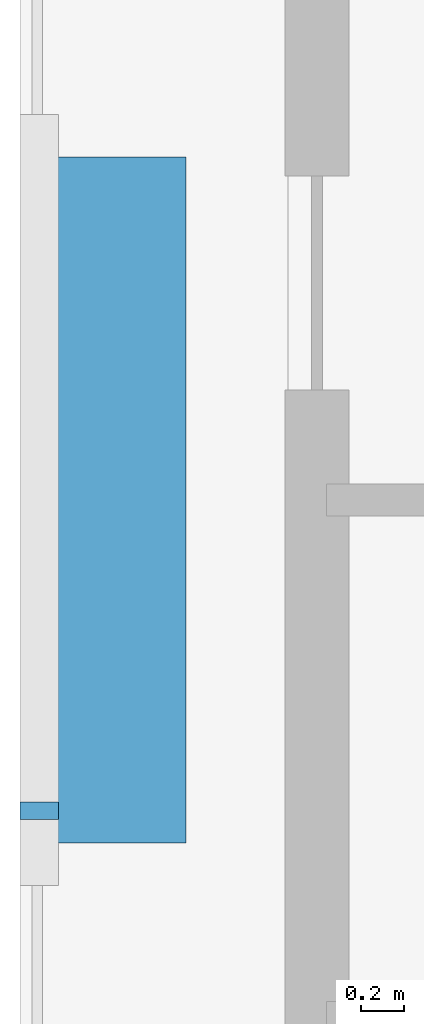
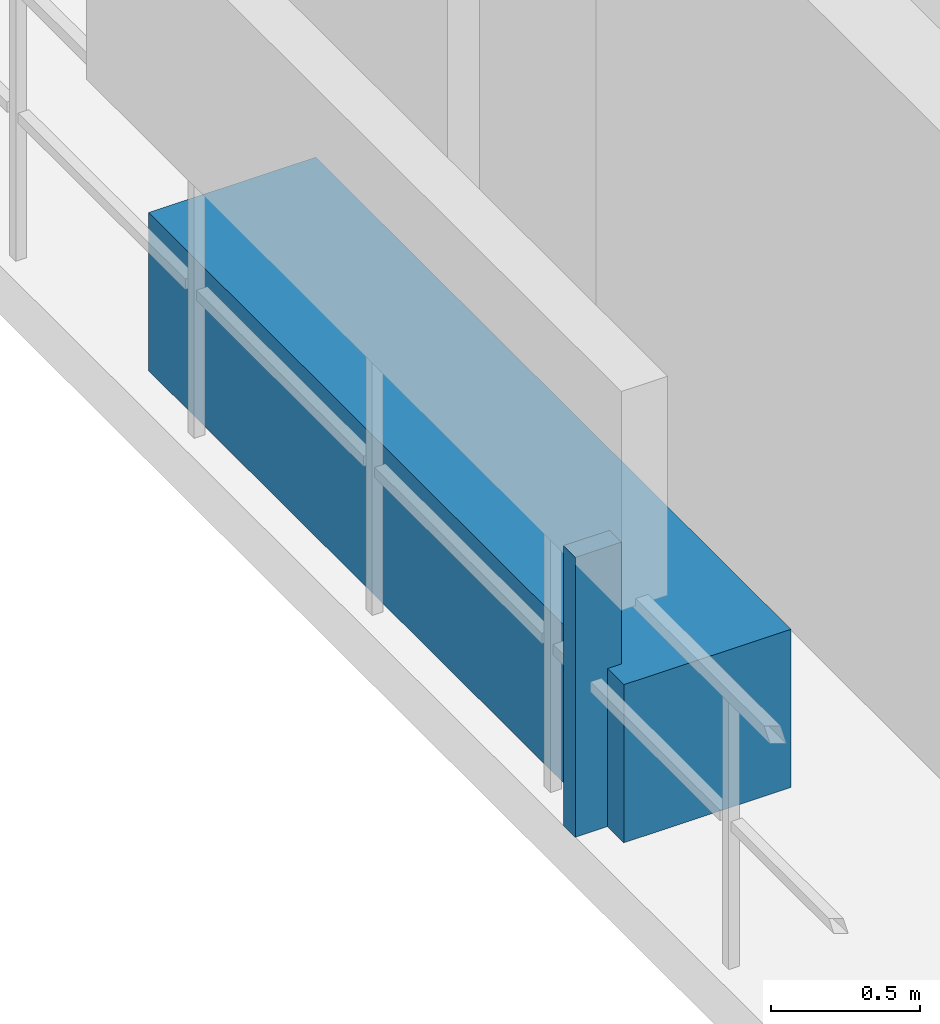
# One storey, part 28 of 33: 2 discrete accessories.
"""IFC4 building model written with IfcOpenShell, lengths in metres."""

from ifc_helpers import new_model, si_unit, direction, frame, origin, origin_2d, place, context, subcontext, project, spatial, rectangle, extrude, material, type_object, element, save


model = new_model("IFC4")

# Units and contexts
model_context = context("Model", 3, precision=1e-05, world=origin(), true_north=direction((0.0, 1.0)))
body_context = subcontext(model_context, "Body", "Model", "MODEL_VIEW")
ifc_project = project(units=[si_unit("LENGTHUNIT", "METRE"), si_unit("AREAUNIT", "SQUARE_METRE"), si_unit("VOLUMEUNIT", "CUBIC_METRE"), si_unit("PLANEANGLEUNIT", "RADIAN"), si_unit("MASSUNIT", "GRAM", prefix="KILO")], contexts=[model_context])

# Site, building, storey
site_placement = place(None, origin())
site = spatial("IfcSite", under=ifc_project, at=site_placement, CompositionType="ELEMENT")
building_placement = place(site_placement, origin())
building = spatial("IfcBuilding", under=site, at=building_placement, Name="Thornwick Lancets Civic Towers", CompositionType="ELEMENT")
storey_placement = place(building_placement, frame((0.0, 0.0, 218.10009765625)))
storey = spatial("IfcBuildingStorey", under=building, at=storey_placement, Name="L58", CompositionType="ELEMENT", Elevation=218.10009765625)

# Discrete accessories
ifc_material_1 = material(Name="Planted terracotta greenery planter", Category="masonry")
discrete_accessory_type_1 = type_object("IfcDiscreteAccessoryType", Name="ACC_PLANTER_BOX", PredefinedType="USERDEFINED", material=ifc_material_1)
discrete_accessory_1_placement = place(storey_placement, frame((0.800048828125, 27.0, 0.0), z_axis=(0.0, 0.0, 1.0), x_axis=(1.0, 0.0, 0.0)))
element("IfcDiscreteAccessory", 1, at=discrete_accessory_1_placement, inside=storey, type_object=discrete_accessory_type_1, Name="L58 Tower A Balcony Greenery Planter W", ObjectType="PLANTER", PredefinedType="USERDEFINED", context=body_context, shape_type="SweptSolid", body=[
    extrude(rectangle(XDim=0.64990234375, YDim=3.199951171875, at=origin_2d()), origin(), (0.0, 0.0, 1.0), 0.64990234375),
])
ifc_material_2 = material(Name="Stainless steel S355", Category="steel")
discrete_accessory_type_2 = type_object("IfcDiscreteAccessoryType", Name="ACC_SCREEN_BRACKET", PredefinedType="BRACKET", material=ifc_material_2)
discrete_accessory_2_placement = place(storey_placement, frame((0.43994140625, 25.550048828125, 0.0), z_axis=(0.0, 0.0, 1.0), x_axis=(0.0, 1.0, 0.0)))
element("IfcDiscreteAccessory", 2, at=discrete_accessory_2_placement, inside=storey, type_object=discrete_accessory_type_2, Name="L58 Tower A Balcony Screen Stanchion Bracket W-1", PredefinedType="BRACKET", context=body_context, shape_type="SweptSolid", body=[
    extrude(rectangle(XDim=0.080078125, YDim=0.179931640625, at=origin_2d()), origin(), (0.0, 0.0, 1.0), 1.14990234375),
])

save(model, "model.ifc")
